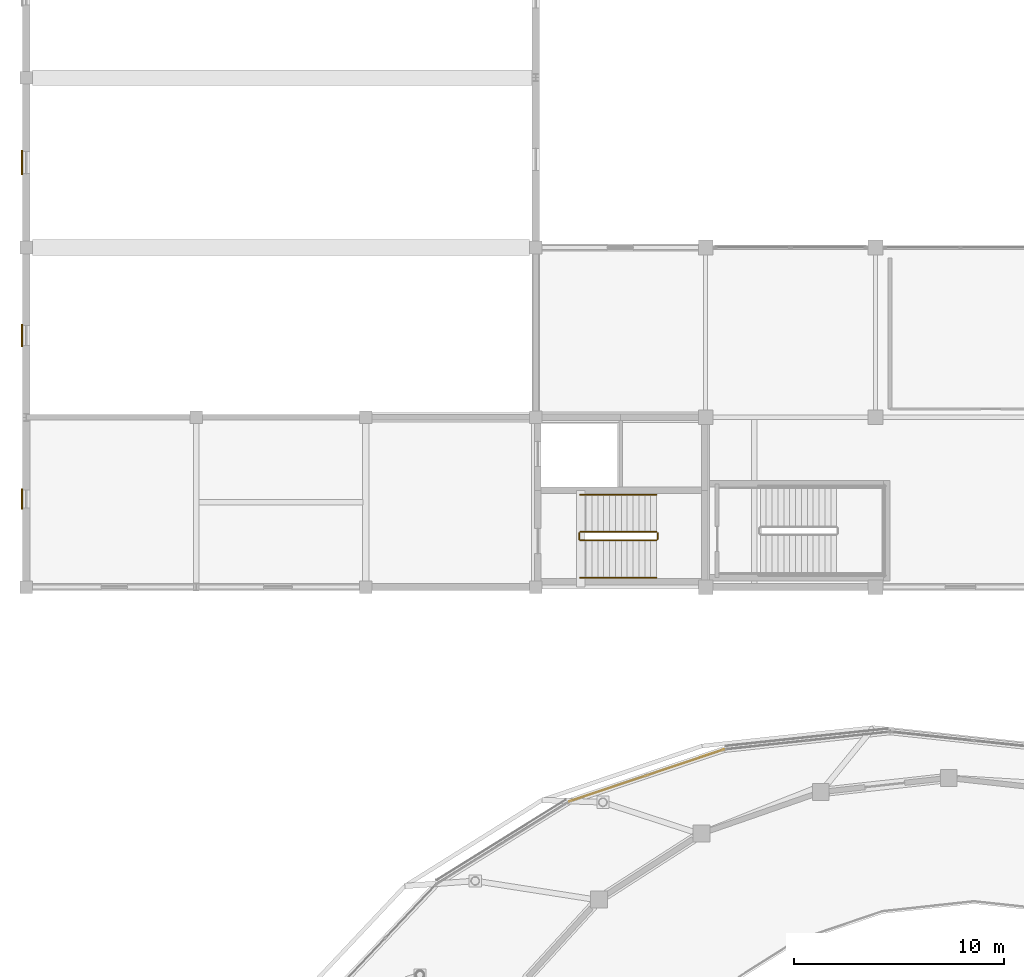
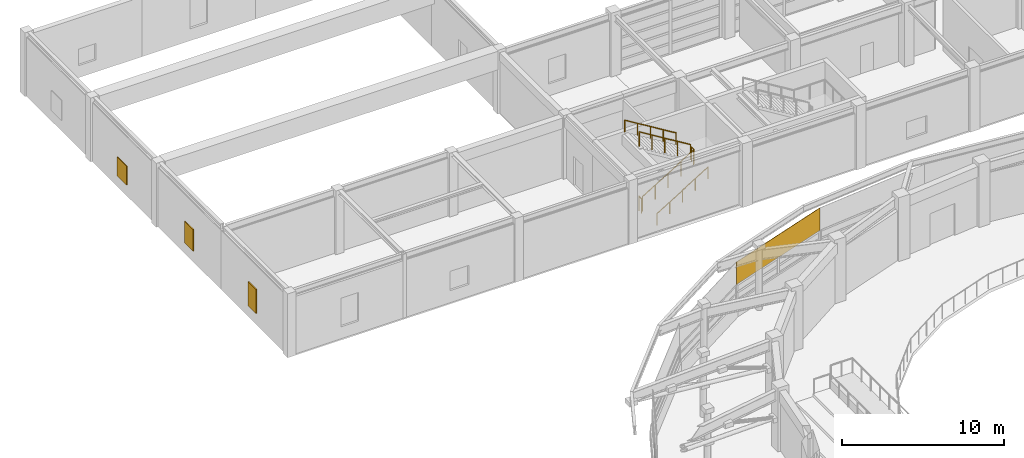
# One storey, part 54 of 58: 6 railings, 3 shading devices, 1 covering.
"""IFC4 building model written with IfcOpenShell, lengths in metres."""

from ifc_helpers import new_model, si_unit, direction, frame, origin, origin_2d, place, context, subcontext, project, spatial, rectangle, circle, extrude, material, layer, layer_set, type_object, element, save


model = new_model("IFC4")

# Units and contexts
model_context = context("Model", 3, precision=1e-05, world=origin(), true_north=direction((0.0, 1.0)))
body_context = subcontext(model_context, "Body", "Model", "MODEL_VIEW")
ifc_project = project(units=[si_unit("LENGTHUNIT", "METRE"), si_unit("AREAUNIT", "SQUARE_METRE"), si_unit("VOLUMEUNIT", "CUBIC_METRE"), si_unit("PLANEANGLEUNIT", "RADIAN"), si_unit("MASSUNIT", "GRAM", prefix="KILO")], contexts=[model_context])

# Site, building, storey
site_placement = place(None, origin())
site = spatial("IfcSite", under=ifc_project, at=site_placement, CompositionType="ELEMENT")
building_placement = place(site_placement, origin())
building = spatial("IfcBuilding", under=site, at=building_placement, Name="Parian Resonance Hall", CompositionType="ELEMENT")
storey_placement = place(building_placement, frame((0.0, 0.0, 10.199951171875)))
storey = spatial("IfcBuildingStorey", under=building, at=storey_placement, Name="L02", CompositionType="ELEMENT", Elevation=10.199951171875)

# Covering
ifc_material_1 = material(Name="Polychrome trencadis ceramic mosaic cladding")
ifc_layer_1 = layer(ifc_material_1, 0.030029296875)
ifc_layer_set_1 = layer_set([ifc_layer_1], Name="Polychrome trencadis ceramic mosaic cladding")
covering_type = type_object("IfcCoveringType", Name="COV-MOSAIC-CLAD", PredefinedType="CLADDING", material=ifc_layer_set_1)
covering_placement = place(storey_placement, frame((29.590087890625, 63.916259765625, 2.35498046875), z_axis=(0.0, 0.0, 1.0), x_axis=(0.948004186617, 0.318257854824, 0.0)))
element("IfcCovering", 1, at=covering_placement, inside=storey, type_object=covering_type, Name="Elliptical R2 upper mosaic frieze cladding 08", PredefinedType="CLADDING", context=body_context, shape_type="SweptSolid", body=[
    extrude(rectangle(XDim=7.784912109375, YDim=0.030029296875, at=origin_2d()), origin(), (0.0, 0.0, 1.0), 1.695068359375),
])

# Railings
ifc_material_2 = material(Name="Patinated bronze whiplash metalwork")
railing_type_1 = type_object("IfcRailingType", Name="RAIL-STAIR-GRD-1100", PredefinedType="GUARDRAIL", material=ifc_material_2)
railing_1_placement = place(storey_placement, frame((26.419921875, 75.1298828125, 0.17138671875)))
element("IfcRailing", 2, at=railing_1_placement, inside=storey, type_object=railing_type_1, Name="L02 ST-04 stair guard 1", PredefinedType="GUARDRAIL", context=body_context, shape_type="SweptSolid", body=[
    extrude(circle(Radius=0.02392578125, at=origin_2d()), frame((0.0, 0.0, 1.076171875), z_axis=(0.852840387347, 0.0, 0.522171689878), x_axis=(0.0, 1.0, 0.0)), (0.0, 0.0, 1.0), 4.268310546875),
    extrude(circle(Radius=0.02099609375, at=origin_2d()), origin(), (0.0, 0.0, 1.0), 1.052001953125),
    extrude(circle(Radius=0.02099609375, at=origin_2d()), frame((0.91015625, 0.0, 0.55712890625)), (0.0, 0.0, 1.0), 1.052001953125),
    extrude(circle(Radius=0.02099609375, at=origin_2d()), frame((1.820068359375, 0.0, 1.1142578125)), (0.0, 0.0, 1.0), 1.052001953125),
    extrude(circle(Radius=0.02099609375, at=origin_2d()), frame((2.72998046875, 0.0, 1.671630859375)), (0.0, 0.0, 1.0), 1.052001953125),
    extrude(circle(Radius=0.02099609375, at=origin_2d()), frame((3.64013671875, 0.0, 2.228759765625)), (0.0, 0.0, 1.0), 1.052001953125),
])
railing_2_placement = place(storey_placement, frame((30.110107421875, 75.179931640625, 2.400146484375)))
element("IfcRailing", 3, at=railing_2_placement, inside=storey, type_object=railing_type_1, Name="L02 ST-04 stair guard 2", PredefinedType="GUARDRAIL", context=body_context, shape_type="SweptSolid", body=[
    extrude(circle(Radius=0.02392578125, at=origin_2d()), frame((0.0, 0.0, 1.076171875), z_axis=(0.0, 1.0, 0.0), x_axis=(-1.0, 0.0, 0.0)), (0.0, 0.0, 1.0), 0.300048828125),
    extrude(circle(Radius=0.02099609375, at=origin_2d()), origin(), (0.0, 0.0, 1.0), 1.052001953125),
    extrude(circle(Radius=0.02099609375, at=origin_2d()), frame((0.0, 0.300048828125, 0.0)), (0.0, 0.0, 1.0), 1.052001953125),
])
railing_3_placement = place(storey_placement, frame((30.06005859375, 75.530029296875, 2.571533203125)))
element("IfcRailing", 4, at=railing_3_placement, inside=storey, type_object=railing_type_1, Name="L02 ST-04 stair guard 3", PredefinedType="GUARDRAIL", context=body_context, shape_type="SweptSolid", body=[
    extrude(circle(Radius=0.02392578125, at=origin_2d()), frame((0.0, 0.0, 1.076171875), z_axis=(-0.852865859571, 0.0, 0.52213008492), x_axis=(0.0, -1.0, 0.0)), (0.0, 0.0, 1.0), 4.26806640625),
    extrude(circle(Radius=0.02099609375, at=origin_2d()), origin(), (0.0, 0.0, 1.0), 1.052001953125),
    extrude(circle(Radius=0.02099609375, at=origin_2d()), frame((-0.91015625, 0.0, 0.55712890625)), (0.0, 0.0, 1.0), 1.052001953125),
    extrude(circle(Radius=0.02099609375, at=origin_2d()), frame((-1.820068359375, 0.0, 1.1142578125)), (0.0, 0.0, 1.0), 1.052001953125),
    extrude(circle(Radius=0.02099609375, at=origin_2d()), frame((-2.72998046875, 0.0, 1.67138671875)), (0.0, 0.0, 1.0), 1.052001953125),
    extrude(circle(Radius=0.02099609375, at=origin_2d()), frame((-3.64013671875, 0.0, 2.228515625)), (0.0, 0.0, 1.0), 1.052001953125),
])
railing_4_placement = place(storey_placement, frame((26.3701171875, 75.179931640625, 0.0)))
element("IfcRailing", 5, at=railing_4_placement, inside=storey, type_object=railing_type_1, Name="L02 ST-04 stair guard 4", PredefinedType="GUARDRAIL", context=body_context, shape_type="SweptSolid", body=[
    extrude(circle(Radius=0.02392578125, at=origin_2d()), frame((0.0, 0.0, 1.076171875), z_axis=(0.0, 1.0, 0.0), x_axis=(-1.0, 0.0, 0.0)), (0.0, 0.0, 1.0), 0.300048828125),
    extrude(circle(Radius=0.02099609375, at=origin_2d()), origin(), (0.0, 0.0, 1.0), 1.052001953125),
    extrude(circle(Radius=0.02099609375, at=origin_2d()), frame((0.0, 0.300048828125, 0.0)), (0.0, 0.0, 1.0), 1.052001953125),
])
ifc_material_3 = material(Name="Patinated bronze whiplash metalwork")
railing_type_2 = type_object("IfcRailingType", Name="RAIL-STAIR-HR-900", PredefinedType="HANDRAIL", material=ifc_material_3)
railing_5_placement = place(storey_placement, frame((26.419921875, 73.35009765625, 0.17138671875)))
element("IfcRailing", 6, at=railing_5_placement, inside=storey, type_object=railing_type_2, Name="L02 ST-04 stair handrail 1", PredefinedType="HANDRAIL", context=body_context, shape_type="SweptSolid", body=[
    extrude(circle(Radius=0.02392578125, at=origin_2d()), frame((0.0, 0.0, 0.8759765625), z_axis=(0.852840387347, 0.0, 0.522171689878), x_axis=(0.0, 1.0, 0.0)), (0.0, 0.0, 1.0), 4.268310546875),
    extrude(circle(Radius=0.02099609375, at=origin_2d()), origin(), (0.0, 0.0, 1.0), 0.851806640625),
    extrude(circle(Radius=0.02099609375, at=origin_2d()), frame((0.91015625, 0.0, 0.55712890625)), (0.0, 0.0, 1.0), 0.851806640625),
    extrude(circle(Radius=0.02099609375, at=origin_2d()), frame((1.820068359375, 0.0, 1.1142578125)), (0.0, 0.0, 1.0), 0.851806640625),
    extrude(circle(Radius=0.02099609375, at=origin_2d()), frame((2.72998046875, 0.0, 1.671630859375)), (0.0, 0.0, 1.0), 0.851806640625),
    extrude(circle(Radius=0.02099609375, at=origin_2d()), frame((3.64013671875, 0.0, 2.228759765625)), (0.0, 0.0, 1.0), 0.851806640625),
])
railing_6_placement = place(storey_placement, frame((30.06005859375, 77.31005859375, 2.571533203125)))
element("IfcRailing", 7, at=railing_6_placement, inside=storey, type_object=railing_type_2, Name="L02 ST-04 stair handrail 2", PredefinedType="HANDRAIL", context=body_context, shape_type="SweptSolid", body=[
    extrude(circle(Radius=0.02392578125, at=origin_2d()), frame((0.0, 0.0, 0.8759765625), z_axis=(-0.852865859571, 0.0, 0.52213008492), x_axis=(0.0, -1.0, 0.0)), (0.0, 0.0, 1.0), 4.26806640625),
    extrude(circle(Radius=0.02099609375, at=origin_2d()), origin(), (0.0, 0.0, 1.0), 0.851806640625),
    extrude(circle(Radius=0.02099609375, at=origin_2d()), frame((-0.91015625, 0.0, 0.55712890625)), (0.0, 0.0, 1.0), 0.851806640625),
    extrude(circle(Radius=0.02099609375, at=origin_2d()), frame((-1.820068359375, 0.0, 1.1142578125)), (0.0, 0.0, 1.0), 0.851806640625),
    extrude(circle(Radius=0.02099609375, at=origin_2d()), frame((-2.72998046875, 0.0, 1.67138671875)), (0.0, 0.0, 1.0), 0.851806640625),
    extrude(circle(Radius=0.02099609375, at=origin_2d()), frame((-3.64013671875, 0.0, 2.228515625)), (0.0, 0.0, 1.0), 0.851806640625),
])

# Shading devices
ifc_material_4 = material(Name="Patinated bronze persiana louver")
ifc_layer_2 = layer(ifc_material_4, 0.06005859375)
ifc_layer_set_2 = layer_set([ifc_layer_2], Name="Patinated bronze persiana louver")
shading_device_type = type_object("IfcShadingDeviceType", Name="SHD-PERSIANA-SHT", PredefinedType="SHUTTER", material=ifc_layer_set_2)
shading_device_1_placement = place(storey_placement, frame((-0.2080078125, 77.10009765625, 0.860107421875), z_axis=(0.0, 0.0, 1.0), x_axis=(0.0, 1.0, 0.0)))
element("IfcShadingDevice", 8, at=shading_device_1_placement, inside=storey, type_object=shading_device_type, Name="Bronze operable persiana shutter L02-009", PredefinedType="SHUTTER", context=body_context, shape_type="SweptSolid", body=[
    extrude(rectangle(XDim=0.969970703125, YDim=0.06005859375, at=origin_2d()), origin(), (0.0, 0.0, 1.0), 1.830078125),
])
shading_device_2_placement = place(storey_placement, frame((-0.2080078125, 84.89990234375, 0.860107421875), z_axis=(0.0, 0.0, 1.0), x_axis=(0.0, 1.0, 0.0)))
element("IfcShadingDevice", 9, at=shading_device_2_placement, inside=storey, type_object=shading_device_type, Name="Bronze operable persiana shutter L02-011", PredefinedType="SHUTTER", context=body_context, shape_type="SweptSolid", body=[
    extrude(rectangle(XDim=1.070068359375, YDim=0.06005859375, at=origin_2d()), origin(), (0.0, 0.0, 1.0), 1.6298828125),
])
shading_device_3_placement = place(storey_placement, frame((-0.2080078125, 93.14990234375, 0.85986328125), z_axis=(0.0, 0.0, 1.0), x_axis=(0.0, 1.0, 0.0)))
element("IfcShadingDevice", 10, at=shading_device_3_placement, inside=storey, type_object=shading_device_type, Name="Bronze operable persiana shutter L02-013", PredefinedType="SHUTTER", context=body_context, shape_type="SweptSolid", body=[
    extrude(rectangle(XDim=1.169921875, YDim=0.06005859375, at=origin_2d()), origin(), (0.0, 0.0, 1.0), 1.429931640625),
])

save(model, "model.ifc")
